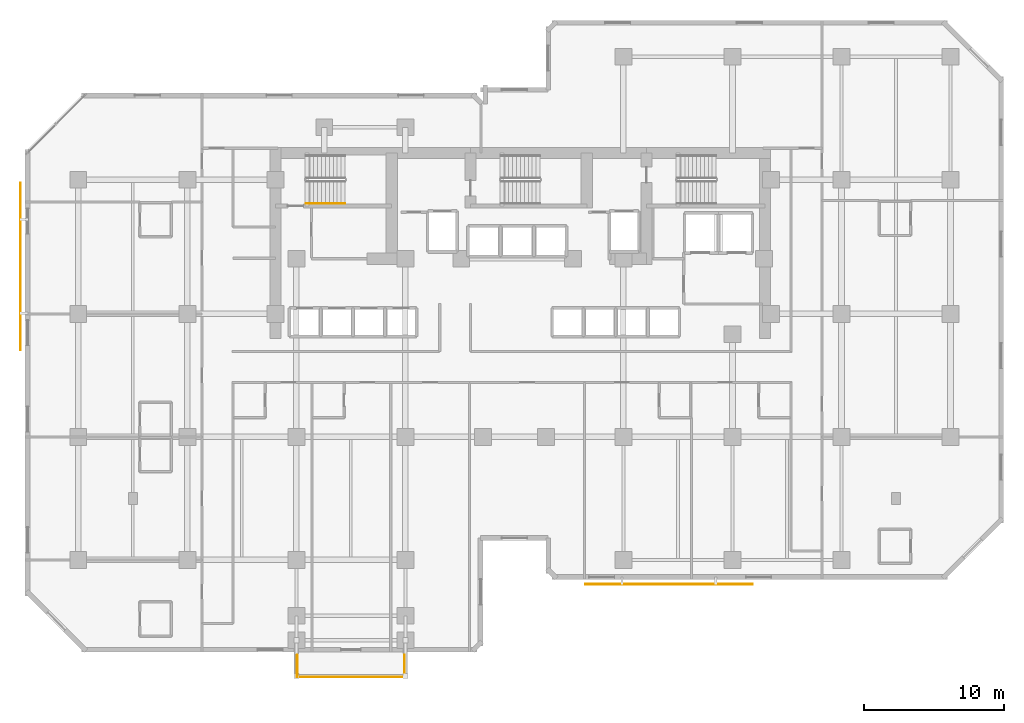
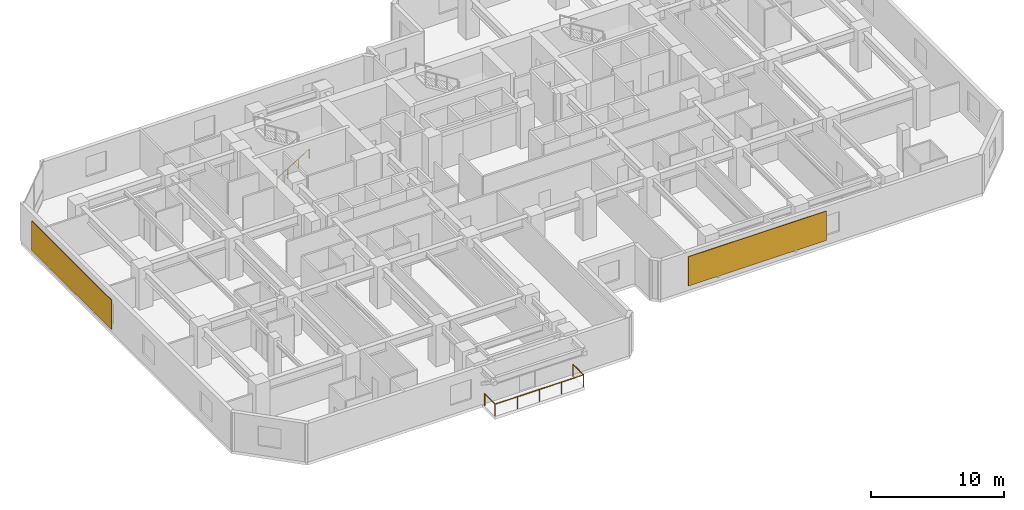
# One storey, part 11 of 12: 3 railings, 2 shading devices.
"""IFC4 building model written with IfcOpenShell, lengths in metres."""

from ifc_helpers import new_model, si_unit, direction, frame, origin, origin_2d, place, context, subcontext, project, spatial, rectangle, circle, extrude, material, layer, layer_set, type_object, element, save


model = new_model("IFC4")

# Units and contexts
model_context = context("Model", 3, precision=1e-05, world=origin(), true_north=direction((0.0, 1.0)))
body_context = subcontext(model_context, "Body", "Model", "MODEL_VIEW")
ifc_project = project(units=[si_unit("LENGTHUNIT", "METRE"), si_unit("AREAUNIT", "SQUARE_METRE"), si_unit("VOLUMEUNIT", "CUBIC_METRE"), si_unit("PLANEANGLEUNIT", "RADIAN"), si_unit("MASSUNIT", "GRAM", prefix="KILO")], contexts=[model_context])

# Site, building, storey
site_placement = place(None, origin())
site = spatial("IfcSite", under=ifc_project, at=site_placement, CompositionType="ELEMENT")
building_placement = place(site_placement, origin())
building = spatial("IfcBuilding", under=site, at=building_placement, Name="Kestravale Grand Hotel", CompositionType="ELEMENT")
storey_placement = place(building_placement, frame((0.0, 0.0, 95.60009765625)))
storey = spatial("IfcBuildingStorey", under=building, at=storey_placement, Name="L23", CompositionType="ELEMENT", Elevation=95.60009765625)

# Railings
ifc_material_1 = material(Name="Champagne-bronze stainless steel and laminated glass guard", Category="steel")
railing_type_1 = type_object("IfcRailingType", Name="RL-EXT-1100", PredefinedType="GUARDRAIL", material=ifc_material_1)
railing_1_placement = place(storey_placement, frame((23.4599609375, 2.81005859375, 0.0)))
element("IfcRailing", 1, at=railing_1_placement, inside=storey, type_object=railing_type_1, Name="L23 outdoor terrace guard 1", PredefinedType="GUARDRAIL", context=body_context, shape_type="SweptSolid", body=[
    extrude(circle(Radius=0.02392578125, at=origin_2d()), frame((0.0, 0.0, 1.09619140625), z_axis=(0.0, 1.0, 0.0), x_axis=(-1.0, 0.0, 0.0)), (0.0, 0.0, 1.0), 1.56982421875),
    extrude(circle(Radius=0.02099609375, at=origin_2d()), origin(), (0.0, 0.0, 1.0), 1.072021484375),
    extrude(circle(Radius=0.02099609375, at=origin_2d()), frame((0.0, 1.56982421875, 0.0)), (0.0, 0.0, 1.0), 1.072021484375),
])
railing_2_placement = place(storey_placement, frame((31.139892578125, 4.3798828125, 0.0)))
element("IfcRailing", 2, at=railing_2_placement, inside=storey, type_object=railing_type_1, Name="L23 outdoor terrace guard 2", PredefinedType="GUARDRAIL", context=body_context, shape_type="SweptSolid", body=[
    extrude(circle(Radius=0.02392578125, at=origin_2d()), frame((0.0, 0.0, 1.09619140625), z_axis=(0.0, -1.0, 0.0), x_axis=(1.0, 0.0, 0.0)), (0.0, 0.0, 1.0), 1.56982421875),
    extrude(circle(Radius=0.02392578125, at=origin_2d()), frame((0.0, -1.56982421875, 1.09619140625), z_axis=(-1.0, 0.0, 0.0), x_axis=(0.0, -1.0, 0.0)), (0.0, 0.0, 1.0), 7.679931640625),
    extrude(circle(Radius=0.02099609375, at=origin_2d()), origin(), (0.0, 0.0, 1.0), 1.072021484375),
    extrude(circle(Radius=0.02099609375, at=origin_2d()), frame((0.0, -1.56982421875, 0.0)), (0.0, 0.0, 1.0), 1.072021484375),
    extrude(circle(Radius=0.02099609375, at=origin_2d()), frame((-1.919921875, -1.56982421875, 0.0)), (0.0, 0.0, 1.0), 1.072021484375),
    extrude(circle(Radius=0.02099609375, at=origin_2d()), frame((-3.83984375, -1.56982421875, 0.0)), (0.0, 0.0, 1.0), 1.072021484375),
    extrude(circle(Radius=0.02099609375, at=origin_2d()), frame((-5.760009765625, -1.56982421875, 0.0)), (0.0, 0.0, 1.0), 1.072021484375),
    extrude(circle(Radius=0.02099609375, at=origin_2d()), frame((-7.679931640625, -1.56982421875, 0.0)), (0.0, 0.0, 1.0), 1.072021484375),
])
ifc_material_2 = material(Name="Brushed stainless steel wall handrail", Category="steel")
railing_type_2 = type_object("IfcRailingType", Name="RL-ST-HND900", PredefinedType="HANDRAIL", material=ifc_material_2)
railing_3_placement = place(storey_placement, frame((24.080078125, 36.699951171875, 0.172607421875)))
element("IfcRailing", 3, at=railing_3_placement, inside=storey, type_object=railing_type_2, Name="L23 ST-1 stair handrail 1", PredefinedType="HANDRAIL", context=body_context, shape_type="SweptSolid", body=[
    extrude(circle(Radius=0.02392578125, at=origin_2d()), frame((0.0, 0.0, 0.8759765625), z_axis=(0.851069175582, 0.0, 0.525053576669), x_axis=(0.0, 1.0, 0.0)), (0.0, 0.0, 1.0), 3.289794921875),
    extrude(circle(Radius=0.02099609375, at=origin_2d()), origin(), (0.0, 0.0, 1.0), 0.851806640625),
    extrude(circle(Radius=0.02099609375, at=origin_2d()), frame((0.933349609375, 0.0, 0.57568359375)), (0.0, 0.0, 1.0), 0.851806640625),
    extrude(circle(Radius=0.02099609375, at=origin_2d()), frame((1.866455078125, 0.0, 1.151611328125)), (0.0, 0.0, 1.0), 0.851806640625),
    extrude(circle(Radius=0.02099609375, at=origin_2d()), frame((2.7998046875, 0.0, 1.727294921875)), (0.0, 0.0, 1.0), 0.851806640625),
])

# Shading devices
ifc_material_3 = material(Name="Perforated champagne-bronze aluminium and ceramic solar screen", Category="aluminium")
ifc_layer = layer(ifc_material_3, 0.06494140625)
ifc_layer_set = layer_set([ifc_layer], Name="SHD-SCR-CHEV")
shading_device_type = type_object("IfcShadingDeviceType", Name="SHD-SCR-CHEV", PredefinedType="USERDEFINED", material=ifc_layer_set)
for number, where, z_axis, x_axis, name in (
    (4, (50.050048828125, 9.4599609375, 0.699951171875), (0.0, 0.0, 1.0), (1.0, 0.0, 0.0), "L23 Perforated bronze ceramic chevron solar screen SCR-L23-07"),
    (5, (3.659912109375, 32.199951171875, 0.699951171875), (0.0, 0.0, 1.0), (0.0, -1.0, 0.0), "L23 Perforated bronze ceramic chevron solar screen SCR-L23-19"),
):
    element("IfcShadingDevice", number, at=place(storey_placement, frame(where, z_axis=z_axis, x_axis=x_axis)), inside=storey, type_object=shading_device_type, Name=name, ObjectType="SCREEN", PredefinedType="USERDEFINED", context=body_context, shape_type="SweptSolid", body=[
        extrude(rectangle(XDim=12.0, YDim=0.06494140625, at=origin_2d()), origin(), (0.0, 0.0, 1.0), 2.68994140625),
    ])

save(model, "model.ifc")
